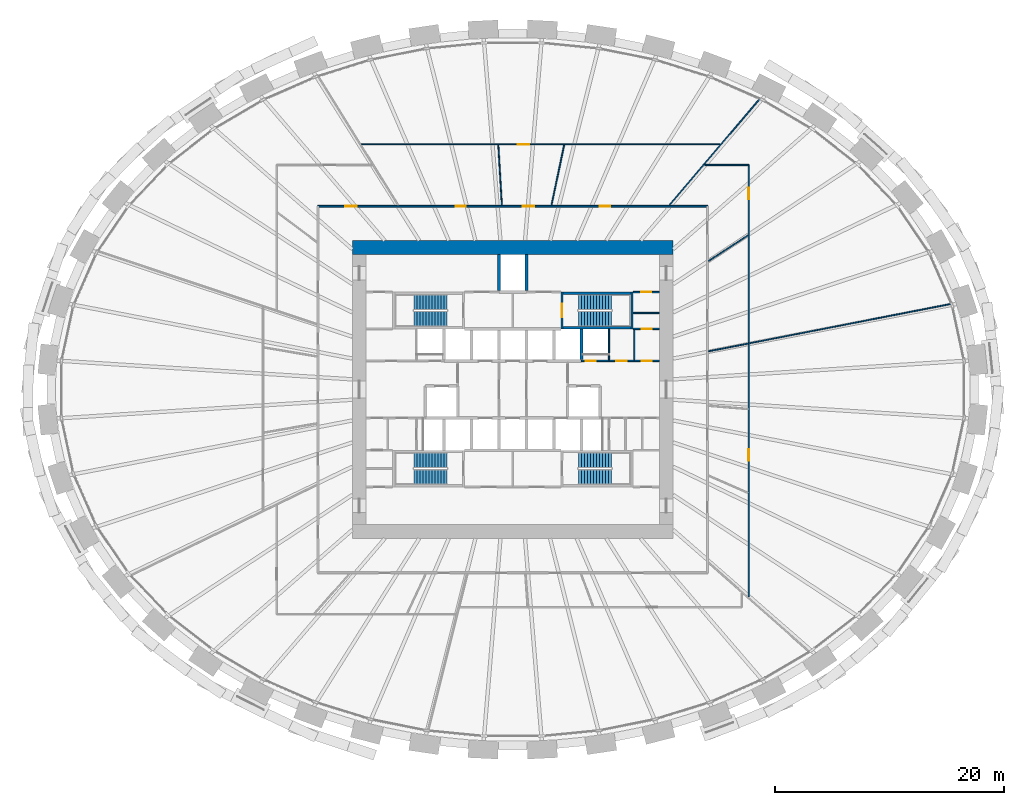
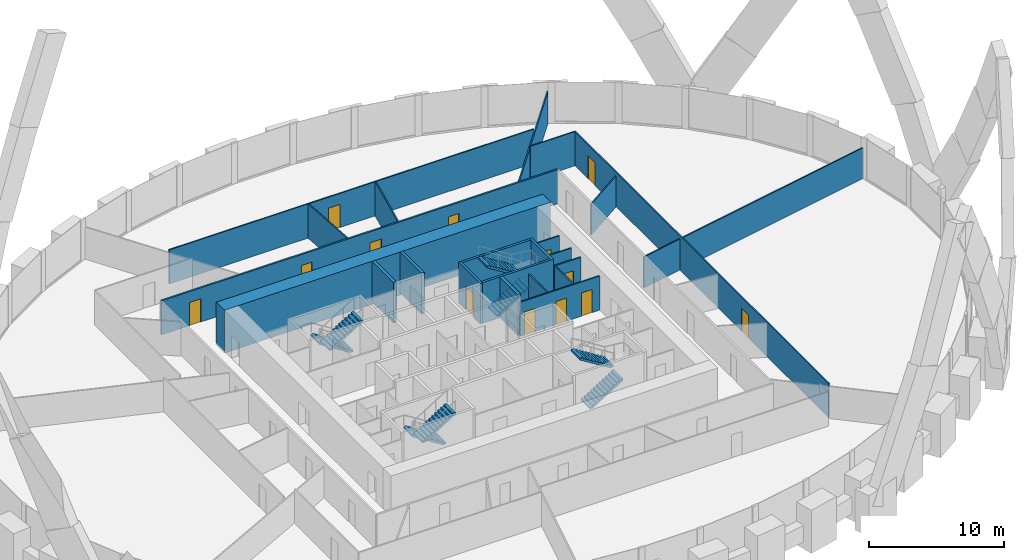
# One storey, part 10 of 12: 23 walls, 13 doors, 8 stair flights, 13 openings, 4 elements without a shape of their own.
"""IFC4 building model written with IfcOpenShell, lengths in metres."""

from ifc_helpers import new_model, si_unit, direction, frame, frame_2d, origin, place, context, subcontext, project, spatial, polyline, rectangle, outline, extrude, source, transform, mapped, material, layer, layer_set, type_object, element, fill, aggregate, save


model = new_model("IFC4")

# Units and contexts
model_context = context("Model", 3, precision=1e-05, world=origin(), true_north=direction((0.0, 1.0)))
body_context = subcontext(model_context, "Body", "Model", "MODEL_VIEW")
ifc_project = project(units=[si_unit("LENGTHUNIT", "METRE"), si_unit("AREAUNIT", "SQUARE_METRE"), si_unit("VOLUMEUNIT", "CUBIC_METRE"), si_unit("PLANEANGLEUNIT", "RADIAN"), si_unit("MASSUNIT", "GRAM", prefix="KILO")], contexts=[model_context])

# Site, building, storey
site_placement = place(None, origin())
site = spatial("IfcSite", under=ifc_project, at=site_placement, CompositionType="ELEMENT")
building_placement = place(site_placement, origin())
building = spatial("IfcBuilding", under=site, at=building_placement, Name="Embergate Tower", CompositionType="ELEMENT")
storey_placement = place(building_placement, frame((0.0, 0.0, 65.89990234375)))
storey = spatial("IfcBuildingStorey", under=building, at=storey_placement, Name="L12", CompositionType="ELEMENT", Elevation=65.89990234375)

# Wall
ifc_material_1 = material(Name="Concrete C80", Category="concrete")
ifc_layer_1 = layer(ifc_material_1, 1.199951171875)
ifc_layer_set_1 = layer_set([ifc_layer_1], Name="Concrete C80")
wall_type_1 = type_object("IfcWallType", Name="Core outer wall C80 1200", PredefinedType="SHEAR", material=ifc_layer_set_1)
shared_shape_1 = source(origin(), body_context, "Body", "SweptSolid", [
    extrude(rectangle(XDim=28.0, YDim=1.199951171875, at=frame_2d((14.0, 0.0))), origin(), (0.0, 0.0, 1.0), 3.900146484375),
])
wall_1_placement = place(storey_placement, frame((-14.0, 12.39990234375, -0.199951171875), z_axis=(0.0, 0.0, 1.0), x_axis=(1.0, 0.0, 0.0)))
element("IfcWall", 1, at=wall_1_placement, inside=storey, type_object=wall_type_1, Name="CW-L12-N", PredefinedType="SHEAR", context=body_context, shape_type="MappedRepresentation", body=[
    mapped(shared_shape_1, transform((0.0, 0.0, 0.0))),
])

# Wall, openings, doors
ifc_material_2 = material(Name="Core partition blockwork 120")
ifc_layer_2 = layer(ifc_material_2, 0.1201171875)
ifc_layer_set_2 = layer_set([ifc_layer_2], Name="Core partition blockwork 120")
wall_type_2 = type_object("IfcWallType", Name="Core partition blockwork 120", PredefinedType="PARTITIONING", material=ifc_layer_set_2)
shared_shape_2 = source(origin(), body_context, "Body", "SweptSolid", [
    extrude(rectangle(XDim=6.800048828125, YDim=0.1201171875, at=frame_2d((3.39990234375, 0.0))), origin(), (0.0, 0.0, 1.0), 3.10009765625),
])
wall_2_placement = place(storey_placement, frame((6.0, 2.5, 0.0), z_axis=(0.0, 0.0, 1.0), x_axis=(1.0, 0.0, 0.0)))
wall_2 = element("IfcWall", 2, at=wall_2_placement, inside=storey, type_object=wall_type_2, Name="IP-3 wall", PredefinedType="PARTITIONING", context=body_context, shape_type="MappedRepresentation", body=[
    mapped(shared_shape_2, transform((0.0, 0.0, 0.0))),
])
shared_shape_3 = source(origin(), body_context, "Body", "SweptSolid", [
    extrude(rectangle(XDim=0.89990234375, YDim=2.10009765625, at=frame_2d((0.449951171875, 1.050048828125))), frame((0.0, 0.070068359375, 0.0), z_axis=(0.0, -1.0, 0.0), x_axis=(1.0, 0.0, 0.0)), (0.0, 0.0, 1.0), 0.14013671875),
])
opening_1_placement = place(wall_2_placement, frame((0.35009765625, 0.0, 0.0)))
opening_1 = element("IfcOpeningElement", 3, at=opening_1_placement, cuts=wall_2, Name="Opening ID-1", PredefinedType="OPENING", context=body_context, shape_type="MappedRepresentation", body=[
    mapped(shared_shape_3, transform((0.0, 0.0, 0.0))),
])
opening_2_placement = place(wall_2_placement, frame((3.050048828125, 0.0, 0.0)))
opening_2 = element("IfcOpeningElement", 4, at=opening_2_placement, cuts=wall_2, Name="Opening ID-1", PredefinedType="OPENING", context=body_context, shape_type="MappedRepresentation", body=[
    mapped(shared_shape_3, transform((0.0, 0.0, 0.0))),
])
opening_3_placement = place(wall_2_placement, frame((5.25, 0.0, 0.0)))
opening_3 = element("IfcOpeningElement", 5, at=opening_3_placement, cuts=wall_2, Name="Opening ID-1", PredefinedType="OPENING", context=body_context, shape_type="MappedRepresentation", body=[
    mapped(shared_shape_3, transform((0.0, 0.0, 0.0))),
])
ifc_material_3 = material(Name="Interior door 900")
door_type_1 = type_object("IfcDoorType", Name="Interior door 900", OperationType="SINGLE_SWING_LEFT", PredefinedType="DOOR", material=ifc_material_3)
shared_shape_4 = source(origin(), body_context, "Body", "SweptSolid", [
    extrude(rectangle(XDim=0.89990234375, YDim=2.10009765625, at=frame_2d((0.449951171875, 1.050048828125))), frame((0.0, 0.02490234375, 0.0), z_axis=(0.0, -1.0, 0.0), x_axis=(1.0, 0.0, 0.0)), (0.0, 0.0, 1.0), 0.050048828125),
])
door_1_placement = place(opening_1_placement, origin())
door_1 = element("IfcDoor", 6, at=door_1_placement, inside=storey, type_object=door_type_1, Name="ID-1 door", OperationType="SINGLE_SWING_LEFT", OverallHeight=2.10009765625, OverallWidth=0.89990234375, PredefinedType="DOOR", context=body_context, shape_type="MappedRepresentation", body=[
    mapped(shared_shape_4, transform((0.0, 0.0, 0.0))),
])
fill(opening_1, door_1)
door_2_placement = place(opening_2_placement, origin())
door_2 = element("IfcDoor", 7, at=door_2_placement, inside=storey, type_object=door_type_1, Name="ID-1 door", OperationType="SINGLE_SWING_RIGHT", OverallHeight=2.10009765625, OverallWidth=0.89990234375, PredefinedType="DOOR", context=body_context, shape_type="MappedRepresentation", body=[
    mapped(shared_shape_4, transform((0.0, 0.0, 0.0))),
])
fill(opening_2, door_2)
door_3_placement = place(opening_3_placement, origin())
door_3 = element("IfcDoor", 8, at=door_3_placement, inside=storey, type_object=door_type_1, Name="ID-1 door", OperationType="SINGLE_SWING_RIGHT", OverallHeight=2.10009765625, OverallWidth=0.89990234375, PredefinedType="DOOR", context=body_context, shape_type="MappedRepresentation", body=[
    mapped(shared_shape_4, transform((0.0, 0.0, 0.0))),
])
fill(opening_3, door_3)

# Wall
shared_shape_5 = source(origin(), body_context, "Body", "SweptSolid", [
    extrude(rectangle(XDim=2.739990234375, YDim=0.1201171875, at=frame_2d((1.3701171875, 0.0))), origin(), (0.0, 0.0, 1.0), 3.10009765625),
])
wall_3_placement = place(storey_placement, frame((8.39990234375, 2.56005859375, 0.0), z_axis=(0.0, 0.0, 1.0), x_axis=(0.0, 1.0, 0.0)))
element("IfcWall", 9, at=wall_3_placement, inside=storey, type_object=wall_type_2, Name="IP-3 wall", PredefinedType="PARTITIONING", context=body_context, shape_type="MappedRepresentation", body=[
    mapped(shared_shape_5, transform((0.0, 0.0, 0.0))),
])

# Wall, opening, door
shared_shape_6 = source(origin(), body_context, "Body", "SweptSolid", [
    extrude(rectangle(XDim=2.300048828125, YDim=0.1201171875, at=frame_2d((1.14990234375, 0.0))), origin(), (0.0, 0.0, 1.0), 3.10009765625),
])
wall_4_placement = place(storey_placement, frame((10.5, 8.5, 0.0), z_axis=(0.0, 0.0, 1.0), x_axis=(1.0, 0.0, 0.0)))
wall_4 = element("IfcWall", 10, at=wall_4_placement, inside=storey, type_object=wall_type_2, Name="IP-3 wall", PredefinedType="PARTITIONING", context=body_context, shape_type="MappedRepresentation", body=[
    mapped(shared_shape_6, transform((0.0, 0.0, 0.0))),
])
opening_4_placement = place(wall_4_placement, frame((0.699951171875, 0.0, 0.0)))
opening_4 = element("IfcOpeningElement", 11, at=opening_4_placement, cuts=wall_4, Name="Opening ID-1", PredefinedType="OPENING", context=body_context, shape_type="MappedRepresentation", body=[
    mapped(shared_shape_3, transform((0.0, 0.0, 0.0))),
])
door_4_placement = place(opening_4_placement, origin())
door_4 = element("IfcDoor", 12, at=door_4_placement, inside=storey, type_object=door_type_1, Name="ID-1 door", OperationType="SINGLE_SWING_LEFT", OverallHeight=2.10009765625, OverallWidth=0.89990234375, PredefinedType="DOOR", context=body_context, shape_type="MappedRepresentation", body=[
    mapped(shared_shape_4, transform((0.0, 0.0, 0.0))),
])
fill(opening_4, door_4)

wall_5_placement = place(storey_placement, frame((12.800048828125, 5.300048828125, 0.0), z_axis=(0.0, 0.0, 1.0), x_axis=(-1.0, 0.0, 0.0)))
wall_5 = element("IfcWall", 13, at=wall_5_placement, inside=storey, type_object=wall_type_2, Name="IP-3 wall", PredefinedType="PARTITIONING", context=body_context, shape_type="MappedRepresentation", body=[
    mapped(shared_shape_6, transform((0.0, 0.0, 0.0))),
])
opening_5_placement = place(wall_5_placement, frame((0.64990234375, 0.0, 0.0)))
opening_5 = element("IfcOpeningElement", 14, at=opening_5_placement, cuts=wall_5, Name="Opening ID-1", PredefinedType="OPENING", context=body_context, shape_type="MappedRepresentation", body=[
    mapped(shared_shape_3, transform((0.0, 0.0, 0.0))),
])
door_5_placement = place(opening_5_placement, origin())
door_5 = element("IfcDoor", 15, at=door_5_placement, inside=storey, type_object=door_type_1, Name="ID-1 door", OperationType="SINGLE_SWING_RIGHT", OverallHeight=2.10009765625, OverallWidth=0.89990234375, PredefinedType="DOOR", context=body_context, shape_type="MappedRepresentation", body=[
    mapped(shared_shape_4, transform((0.0, 0.0, 0.0))),
])
fill(opening_5, door_5)

# Walls
wall_6_placement = place(storey_placement, frame((12.800048828125, 6.676025390625, 0.0), z_axis=(0.0, 0.0, 1.0), x_axis=(-1.0, 0.0, 0.0)))
element("IfcWall", 16, at=wall_6_placement, inside=storey, type_object=wall_type_2, Name="IP-3 wall", PredefinedType="PARTITIONING", context=body_context, shape_type="MappedRepresentation", body=[
    mapped(shared_shape_6, transform((0.0, 0.0, 0.0))),
])
shared_shape_7 = source(origin(), body_context, "Body", "SweptSolid", [
    extrude(rectangle(XDim=2.679931640625, YDim=0.1201171875, at=frame_2d((1.33984375, 0.0))), origin(), (0.0, 0.0, 1.0), 3.10009765625),
])
wall_7_placement = place(storey_placement, frame((10.60009765625, 2.56005859375, 0.0), z_axis=(0.0, 0.0, 1.0), x_axis=(0.0, 1.0, 0.0)))
element("IfcWall", 17, at=wall_7_placement, inside=storey, type_object=wall_type_2, Name="IP-3 wall", PredefinedType="PARTITIONING", context=body_context, shape_type="MappedRepresentation", body=[
    mapped(shared_shape_7, transform((0.0, 0.0, 0.0))),
])
ifc_material_4 = material(Name="Concrete C50", Category="concrete")
ifc_layer_3 = layer(ifc_material_4, 0.25)
ifc_layer_set_3 = layer_set([ifc_layer_3], Name="Concrete C50")
wall_type_3 = type_object("IfcWallType", Name="Hoistway wall reinforced concrete 250", PredefinedType="SHEAR", material=ifc_layer_set_3)
shared_shape_8 = source(origin(), body_context, "Body", "SweptSolid", [
    extrude(rectangle(XDim=2.675048828125, YDim=0.25, at=frame_2d((1.33740234375, 0.0))), origin(), (0.0, 0.0, 1.0), 3.7001953125),
])
wall_8_placement = place(storey_placement, frame((6.0, 2.625, 0.0), z_axis=(0.0, 0.0, 1.0), x_axis=(0.0, 1.0, 0.0)))
element("IfcWall", 18, at=wall_8_placement, inside=storey, type_object=wall_type_3, Name="HW-1 wall", PredefinedType="SHEAR", context=body_context, shape_type="MappedRepresentation", body=[
    mapped(shared_shape_8, transform((0.0, 0.0, 0.0))),
])
ifc_layer_4 = layer(ifc_material_4, 0.199951171875)
ifc_layer_set_4 = layer_set([ifc_layer_4], Name="Concrete C50")
wall_type_4 = type_object("IfcWallType", Name="Stair enclosure wall reinforced concrete 250", PredefinedType="SHEAR", material=ifc_layer_set_4)
shared_shape_9 = source(origin(), body_context, "Body", "SweptSolid", [
    extrude(rectangle(XDim=6.300048828125, YDim=0.199951171875, at=frame_2d((3.14990234375, 0.0))), origin(), (0.0, 0.0, 1.0), 3.7001953125),
])
for number, where, z_axis, x_axis, name in (
    (19, (10.5, 5.39990234375, 0.0), (0.0, 0.0, 1.0), (-1.0, 0.0, 0.0), "SE-1 wall"),
    (20, (10.5, 8.39990234375, 0.0), (0.0, 0.0, 1.0), (-1.0, 0.0, 0.0), "SE-1 wall"),
):
    element("IfcWall", number, at=place(storey_placement, frame(where, z_axis=z_axis, x_axis=x_axis)), inside=storey, type_object=wall_type_4, Name=name, PredefinedType="SHEAR", context=body_context, shape_type="MappedRepresentation", body=[
        mapped(shared_shape_9, transform((0.0, 0.0, 0.0))),
    ])

# Wall, opening, door
shared_shape_10 = source(origin(), body_context, "Body", "SweptSolid", [
    extrude(rectangle(XDim=3.199951171875, YDim=0.199951171875, at=frame_2d((1.60009765625, 0.0))), origin(), (0.0, 0.0, 1.0), 3.7001953125),
])
wall_9_placement = place(storey_placement, frame((4.300048828125, 8.5, 0.0), z_axis=(0.0, 0.0, 1.0), x_axis=(0.0, -1.0, 0.0)))
wall_9 = element("IfcWall", 21, at=wall_9_placement, inside=storey, type_object=wall_type_4, Name="SE-1 wall", PredefinedType="SHEAR", context=body_context, shape_type="MappedRepresentation", body=[
    mapped(shared_shape_10, transform((0.0, 0.0, 0.0))),
])
shared_shape_11 = source(origin(), body_context, "Body", "SweptSolid", [
    extrude(rectangle(XDim=1.199951171875, YDim=2.10009765625, at=frame_2d((0.60009765625, 1.050048828125))), frame((0.0, 0.10986328125, 0.0), z_axis=(0.0, -1.0, 0.0), x_axis=(1.0, 0.0, 0.0)), (0.0, 0.0, 1.0), 0.219970703125),
])
opening_6_placement = place(wall_9_placement, frame((1.0, 0.0, 0.0)))
opening_6 = element("IfcOpeningElement", 22, at=opening_6_placement, cuts=wall_9, Name="Opening IF-2", PredefinedType="OPENING", context=body_context, shape_type="MappedRepresentation", body=[
    mapped(shared_shape_11, transform((0.0, 0.0, 0.0))),
])
ifc_material_5 = material(Name="Stair enclosure door 1200")
door_type_2 = type_object("IfcDoorType", Name="Stair enclosure door 1200", OperationType="SINGLE_SWING_LEFT", PredefinedType="DOOR", material=ifc_material_5)
shared_shape_12 = source(origin(), body_context, "Body", "SweptSolid", [
    extrude(rectangle(XDim=1.199951171875, YDim=2.10009765625, at=frame_2d((0.60009765625, 1.050048828125))), frame((0.0, 0.02490234375, 0.0), z_axis=(0.0, -1.0, 0.0), x_axis=(1.0, 0.0, 0.0)), (0.0, 0.0, 1.0), 0.050048828125),
])
door_6_placement = place(opening_6_placement, origin())
door_6 = element("IfcDoor", 23, at=door_6_placement, inside=storey, type_object=door_type_2, Name="IF-2 door", OperationType="SINGLE_SWING_RIGHT", OverallHeight=2.10009765625, OverallWidth=1.199951171875, PredefinedType="DOOR", context=body_context, shape_type="MappedRepresentation", body=[
    mapped(shared_shape_12, transform((0.0, 0.0, 0.0))),
])
fill(opening_6, door_6)

# Walls
wall_10_placement = place(storey_placement, frame((10.39990234375, 5.300048828125, 0.0), z_axis=(0.0, 0.0, 1.0), x_axis=(0.0, 1.0, 0.0)))
element("IfcWall", 24, at=wall_10_placement, inside=storey, type_object=wall_type_4, Name="SE-1 wall", PredefinedType="SHEAR", context=body_context, shape_type="MappedRepresentation", body=[
    mapped(shared_shape_10, transform((0.0, 0.0, 0.0))),
])
shared_shape_13 = source(origin(), body_context, "Body", "SweptSolid", [
    extrude(rectangle(XDim=3.175048828125, YDim=0.25, at=frame_2d((1.58740234375, 0.0))), origin(), (0.0, 0.0, 1.0), 3.7001953125),
])
for number, where, z_axis, x_axis, name in (
    (25, (-1.199951171875, 8.625, 0.0), (0.0, 0.0, 1.0), (0.0, 1.0, 0.0), "HW-1 wall"),
    (26, (1.199951171875, 11.800048828125, 0.0), (0.0, 0.0, 1.0), (0.0, -1.0, 0.0), "HW-1 wall"),
):
    element("IfcWall", number, at=place(storey_placement, frame(where, z_axis=z_axis, x_axis=x_axis)), inside=storey, type_object=wall_type_3, Name=name, PredefinedType="SHEAR", context=body_context, shape_type="MappedRepresentation", body=[
        mapped(shared_shape_13, transform((0.0, 0.0, 0.0))),
    ])

# Wall, openings, doors
ifc_material_6 = material(Name="Corridor wall dry-lined 150")
ifc_layer_5 = layer(ifc_material_6, 0.14990234375)
ifc_layer_set_5 = layer_set([ifc_layer_5], Name="Corridor wall dry-lined 150")
wall_type_5 = type_object("IfcWallType", Name="Corridor wall dry-lined 150", PredefinedType="PARTITIONING", material=ifc_layer_set_5)
shared_shape_14 = source(origin(), body_context, "Body", "SweptSolid", [
    extrude(rectangle(XDim=34.0, YDim=0.14990234375, at=frame_2d((17.0, 0.0))), origin(), (0.0, 0.0, 1.0), 3.10009765625),
])
wall_11_placement = place(storey_placement, frame((-17.0, 16.0, 0.0), z_axis=(0.0, 0.0, 1.0), x_axis=(1.0, 0.0, 0.0)))
wall_11 = element("IfcWall", 27, at=wall_11_placement, inside=storey, type_object=wall_type_5, Name="IP-2 wall", PredefinedType="PARTITIONING", context=body_context, shape_type="MappedRepresentation", body=[
    mapped(shared_shape_14, transform((0.0, 0.0, 0.0))),
])
shared_shape_15 = source(origin(), body_context, "Body", "SweptSolid", [
    extrude(rectangle(XDim=0.89990234375, YDim=2.10009765625, at=frame_2d((0.449951171875, 1.050048828125))), frame((0.0, 0.0849609375, 0.0), z_axis=(0.0, -1.0, 0.0), x_axis=(1.0, 0.0, 0.0)), (0.0, 0.0, 1.0), 0.169921875),
])
opening_7_placement = place(wall_11_placement, frame((24.591064453125, 0.0, 0.0)))
opening_7 = element("IfcOpeningElement", 28, at=opening_7_placement, cuts=wall_11, Name="Opening IF-1c", PredefinedType="OPENING", context=body_context, shape_type="MappedRepresentation", body=[
    mapped(shared_shape_15, transform((0.0, 0.0, 0.0))),
])
shared_shape_16 = source(origin(), body_context, "Body", "SweptSolid", [
    extrude(rectangle(XDim=1.0, YDim=2.10009765625, at=frame_2d((0.5, 1.050048828125))), frame((0.0, 0.0849609375, 0.0), z_axis=(0.0, -1.0, 0.0), x_axis=(1.0, 0.0, 0.0)), (0.0, 0.0, 1.0), 0.169921875),
])
opening_8_placement = place(wall_11_placement, frame((17.87109375, 0.0, 0.0)))
opening_8 = element("IfcOpeningElement", 29, at=opening_8_placement, cuts=wall_11, Name="Opening ID-2", PredefinedType="OPENING", context=body_context, shape_type="MappedRepresentation", body=[
    mapped(shared_shape_16, transform((0.0, 0.0, 0.0))),
])
opening_9_placement = place(wall_11_placement, frame((12.0048828125, 0.0, 0.0)))
opening_9 = element("IfcOpeningElement", 30, at=opening_9_placement, cuts=wall_11, Name="Opening IF-1c", PredefinedType="OPENING", context=body_context, shape_type="MappedRepresentation", body=[
    mapped(shared_shape_15, transform((0.0, 0.0, 0.0))),
])
opening_10_placement = place(wall_11_placement, frame((2.3740234375, 0.0, 0.0)))
opening_10 = element("IfcOpeningElement", 31, at=opening_10_placement, cuts=wall_11, Name="Opening ID-2", PredefinedType="OPENING", context=body_context, shape_type="MappedRepresentation", body=[
    mapped(shared_shape_16, transform((0.0, 0.0, 0.0))),
])
ifc_material_7 = material(Name="Escape fire door 900")
door_type_3 = type_object("IfcDoorType", Name="Escape fire door 900", OperationType="SINGLE_SWING_LEFT", PredefinedType="DOOR", material=ifc_material_7)
door_7_placement = place(opening_7_placement, origin())
door_7 = element("IfcDoor", 32, at=door_7_placement, inside=storey, type_object=door_type_3, Name="IF-1 door", OperationType="SINGLE_SWING_RIGHT", OverallHeight=2.10009765625, OverallWidth=0.89990234375, PredefinedType="DOOR", context=body_context, shape_type="MappedRepresentation", body=[
    mapped(shared_shape_4, transform((0.0, 0.0, 0.0))),
])
fill(opening_7, door_7)
door_8_placement = place(opening_9_placement, origin())
door_8 = element("IfcDoor", 33, at=door_8_placement, inside=storey, type_object=door_type_3, Name="IF-1 door", OperationType="SINGLE_SWING_RIGHT", OverallHeight=2.10009765625, OverallWidth=0.89990234375, PredefinedType="DOOR", context=body_context, shape_type="MappedRepresentation", body=[
    mapped(shared_shape_4, transform((0.0, 0.0, 0.0))),
])
fill(opening_9, door_8)
ifc_material_8 = material(Name="Interior door 1000")
door_type_4 = type_object("IfcDoorType", Name="Interior door 1000", OperationType="SINGLE_SWING_LEFT", PredefinedType="DOOR", material=ifc_material_8)
shared_shape_17 = source(origin(), body_context, "Body", "SweptSolid", [
    extrude(rectangle(XDim=1.0, YDim=2.10009765625, at=frame_2d((0.5, 1.050048828125))), frame((0.0, 0.02490234375, 0.0), z_axis=(0.0, -1.0, 0.0), x_axis=(1.0, 0.0, 0.0)), (0.0, 0.0, 1.0), 0.050048828125),
])
door_9_placement = place(opening_8_placement, origin())
door_9 = element("IfcDoor", 34, at=door_9_placement, inside=storey, type_object=door_type_4, Name="ID-2 door", OperationType="SINGLE_SWING_RIGHT", OverallHeight=2.10009765625, OverallWidth=1.0, PredefinedType="DOOR", context=body_context, shape_type="MappedRepresentation", body=[
    mapped(shared_shape_17, transform((0.0, 0.0, 0.0))),
])
fill(opening_8, door_9)
door_10_placement = place(opening_10_placement, origin())
door_10 = element("IfcDoor", 35, at=door_10_placement, inside=storey, type_object=door_type_4, Name="ID-2 door", OperationType="SINGLE_SWING_LEFT", OverallHeight=2.10009765625, OverallWidth=1.0, PredefinedType="DOOR", context=body_context, shape_type="MappedRepresentation", body=[
    mapped(shared_shape_17, transform((0.0, 0.0, 0.0))),
])
fill(opening_10, door_10)

ifc_material_9 = material(Name="Partition dry-lined 100")
ifc_layer_6 = layer(ifc_material_9, 0.10009765625)
ifc_layer_set_6 = layer_set([ifc_layer_6], Name="Partition dry-lined 100")
wall_type_6 = type_object("IfcWallType", Name="Partition dry-lined 100", PredefinedType="PARTITIONING", material=ifc_layer_set_6)
shared_shape_18 = source(origin(), body_context, "Body", "SweptSolid", [
    extrude(rectangle(XDim=37.7060546875, YDim=0.10009765625, at=frame_2d((18.85302734375, 0.0))), origin(), (0.0, 0.0, 1.0), 3.10009765625),
])
wall_12_placement = place(storey_placement, frame((20.60009765625, -18.10595703125, 0.0), z_axis=(0.0, 0.0, 1.0), x_axis=(0.0, 1.0, 0.0)))
wall_12 = element("IfcWall", 36, at=wall_12_placement, inside=storey, type_object=wall_type_6, Name="IP-1 wall", PredefinedType="PARTITIONING", context=body_context, shape_type="MappedRepresentation", body=[
    mapped(shared_shape_18, transform((0.0, 0.0, 0.0))),
])
shared_shape_19 = source(origin(), body_context, "Body", "SweptSolid", [
    extrude(rectangle(XDim=1.0, YDim=2.10009765625, at=frame_2d((0.5, 1.050048828125))), frame((0.0, 0.06005859375, 0.0), z_axis=(0.0, -1.0, 0.0), x_axis=(1.0, 0.0, 0.0)), (0.0, 0.0, 1.0), 0.1201171875),
])
opening_11_placement = place(wall_12_placement, frame((11.885009765625, 0.0, 0.0)))
opening_11 = element("IfcOpeningElement", 37, at=opening_11_placement, cuts=wall_12, Name="Opening ID-2", PredefinedType="OPENING", context=body_context, shape_type="MappedRepresentation", body=[
    mapped(shared_shape_19, transform((0.0, 0.0, 0.0))),
])
opening_12_placement = place(wall_12_placement, frame((34.698974609375, 0.0, 0.0)))
opening_12 = element("IfcOpeningElement", 38, at=opening_12_placement, cuts=wall_12, Name="Opening ID-2", PredefinedType="OPENING", context=body_context, shape_type="MappedRepresentation", body=[
    mapped(shared_shape_19, transform((0.0, 0.0, 0.0))),
])
door_11_placement = place(opening_11_placement, origin())
door_11 = element("IfcDoor", 39, at=door_11_placement, inside=storey, type_object=door_type_4, Name="ID-2 door", OperationType="SINGLE_SWING_LEFT", OverallHeight=2.10009765625, OverallWidth=1.0, PredefinedType="DOOR", context=body_context, shape_type="MappedRepresentation", body=[
    mapped(shared_shape_17, transform((0.0, 0.0, 0.0))),
])
fill(opening_11, door_11)
door_12_placement = place(opening_12_placement, origin())
door_12 = element("IfcDoor", 40, at=door_12_placement, inside=storey, type_object=door_type_4, Name="ID-2 door", OperationType="SINGLE_SWING_RIGHT", OverallHeight=2.10009765625, OverallWidth=1.0, PredefinedType="DOOR", context=body_context, shape_type="MappedRepresentation", body=[
    mapped(shared_shape_17, transform((0.0, 0.0, 0.0))),
])
fill(opening_12, door_12)

# Walls
shared_shape_20 = source(origin(), body_context, "Body", "SweptSolid", [
    extrude(rectangle(XDim=21.60498046875, YDim=0.10009765625, at=frame_2d((10.802490234375, 0.0))), origin(), (0.0, 0.0, 1.0), 2.800048828125),
])
wall_13_placement = place(storey_placement, frame((38.2890625, 7.48095703125, 0.0), z_axis=(0.0, 0.0, 1.0), x_axis=(-0.98144113654, -0.191763644903, 0.0)))
element("IfcWall", 41, at=wall_13_placement, inside=storey, type_object=wall_type_6, Name="IP-1 wall", PredefinedType="PARTITIONING", context=body_context, shape_type="MappedRepresentation", body=[
    mapped(shared_shape_20, transform((0.0, 0.0, 0.0))),
])
shared_shape_21 = source(origin(), body_context, "Body", "SweptSolid", [
    extrude(rectangle(XDim=4.090576171875, YDim=0.10009765625, at=frame_2d((2.04541015625, 0.0))), origin(), (0.0, 0.0, 1.0), 2.800048828125),
])
wall_14_placement = place(storey_placement, frame((17.10205078125, 11.215087890625, 0.0), z_axis=(0.0, 0.0, 1.0), x_axis=(0.836277118034, 0.548307014229, 0.0)))
element("IfcWall", 42, at=wall_14_placement, inside=storey, type_object=wall_type_6, Name="IP-1 wall", PredefinedType="PARTITIONING", context=body_context, shape_type="MappedRepresentation", body=[
    mapped(shared_shape_21, transform((0.0, 0.0, 0.0))),
])
shared_shape_22 = source(origin(), body_context, "Body", "SweptSolid", [
    extrude(rectangle(XDim=3.842041015625, YDim=0.10009765625, at=frame_2d((1.9208984375, 0.0))), origin(), (0.0, 0.0, 1.0), 3.10009765625),
])
wall_15_placement = place(storey_placement, frame((20.60009765625, 19.60009765625, 0.0), z_axis=(0.0, 0.0, 1.0), x_axis=(-1.0, 0.0, 0.0)))
element("IfcWall", 43, at=wall_15_placement, inside=storey, type_object=wall_type_6, Name="IP-1 wall", PredefinedType="PARTITIONING", context=body_context, shape_type="MappedRepresentation", body=[
    mapped(shared_shape_22, transform((0.0, 0.0, 0.0))),
])
shared_shape_23 = source(origin(), body_context, "Body", "SweptSolid", [
    extrude(rectangle(XDim=5.3701171875, YDim=0.10009765625, at=frame_2d((2.68505859375, 0.0))), origin(), (0.0, 0.0, 1.0), 3.10009765625),
])
wall_16_placement = place(storey_placement, frame((3.381103515625, 16.0849609375, 0.0), z_axis=(0.0, 0.0, 1.0), x_axis=(0.205767600964, 0.97860088616, 0.0)))
element("IfcWall", 44, at=wall_16_placement, inside=storey, type_object=wall_type_6, Name="IP-1 wall", PredefinedType="PARTITIONING", context=body_context, shape_type="MappedRepresentation", body=[
    mapped(shared_shape_23, transform((0.0, 0.0, 0.0))),
])

# Wall, opening, door
shared_shape_24 = source(origin(), body_context, "Body", "SweptSolid", [
    extrude(rectangle(XDim=31.280029296875, YDim=0.10009765625, at=frame_2d((15.64013671875, 0.0))), origin(), (0.0, 0.0, 1.0), 3.10009765625),
])
wall_17_placement = place(storey_placement, frame((18.071044921875, 21.39990234375, 0.0), z_axis=(0.0, 0.0, 1.0), x_axis=(-1.0, 0.0, 0.0)))
wall_17 = element("IfcWall", 45, at=wall_17_placement, inside=storey, type_object=wall_type_6, Name="IP-1 wall", PredefinedType="PARTITIONING", context=body_context, shape_type="MappedRepresentation", body=[
    mapped(shared_shape_24, transform((0.0, 0.0, 0.0))),
])
opening_13_placement = place(wall_17_placement, frame((16.6201171875, 0.0, 0.0)))
opening_13 = element("IfcOpeningElement", 46, at=opening_13_placement, cuts=wall_17, Name="Opening ID-2", PredefinedType="OPENING", context=body_context, shape_type="MappedRepresentation", body=[
    mapped(shared_shape_19, transform((0.0, 0.0, 0.0))),
])
door_13_placement = place(opening_13_placement, origin())
door_13 = element("IfcDoor", 47, at=door_13_placement, inside=storey, type_object=door_type_4, Name="ID-2 door", OperationType="SINGLE_SWING_LEFT", OverallHeight=2.10009765625, OverallWidth=1.0, PredefinedType="DOOR", context=body_context, shape_type="MappedRepresentation", body=[
    mapped(shared_shape_17, transform((0.0, 0.0, 0.0))),
])
fill(opening_13, door_13)

# Walls
shared_shape_25 = source(origin(), body_context, "Body", "SweptSolid", [
    extrude(rectangle(XDim=5.284423828125, YDim=0.10009765625, at=frame_2d((2.64208984375, 0.0))), origin(), (0.0, 0.0, 1.0), 3.10009765625),
])
wall_18_placement = place(storey_placement, frame((-0.949951171875, 16.074951171875, 0.0), z_axis=(0.0, 0.0, 1.0), x_axis=(-0.059044307581, 0.998255362992, 0.0)))
element("IfcWall", 48, at=wall_18_placement, inside=storey, type_object=wall_type_6, Name="IP-1 wall", PredefinedType="PARTITIONING", context=body_context, shape_type="MappedRepresentation", body=[
    mapped(shared_shape_25, transform((0.0, 0.0, 0.0))),
])
shared_shape_26 = source(origin(), body_context, "Body", "SweptSolid", [
    extrude(rectangle(XDim=12.176025390625, YDim=0.10009765625, at=frame_2d((6.087890625, 0.0))), origin(), (0.0, 0.0, 1.0), 2.900146484375),
])
wall_19_placement = place(storey_placement, frame((21.56591796875, 25.386962890625, 0.0), z_axis=(0.0, 0.0, 1.0), x_axis=(-0.647399860631, -0.76215052349, 0.0)))
element("IfcWall", 49, at=wall_19_placement, inside=storey, type_object=wall_type_6, Name="IP-1 wall", PredefinedType="PARTITIONING", context=body_context, shape_type="MappedRepresentation", body=[
    mapped(shared_shape_26, transform((0.0, 0.0, 0.0))),
])

# Stair, stair flights
ifc_material_10 = material(Name="Exit stair")
stair_type = type_object("IfcStairType", Name="Exit stair", PredefinedType="HALF_TURN_STAIR", material=ifc_material_10)
stair_1_placement = place(storey_placement, origin())
stair_1 = element("IfcStair", 50, at=stair_1_placement, inside=storey, type_object=stair_type, Name="L12 Exit stair 1", PredefinedType="HALF_TURN_STAIR")
ifc_material_11 = material(Name="Concrete C40", Category="concrete")
stair_flight_type = type_object("IfcStairFlightType", Name="Stair flight reinforced concrete", PredefinedType="STRAIGHT", material=ifc_material_11)
shared_shape_27 = source(origin(), body_context, "Body", "SweptSolid", [
    extrude(outline(polyline([(0.0, 0.0), (0.0, 0.16259765625), (0.260009765625, 0.16259765625), (0.260009765625, 0.324951171875), (0.52001953125, 0.324951171875), (0.52001953125, 0.487548828125), (0.780029296875, 0.487548828125), (0.780029296875, 0.64990234375), (1.0400390625, 0.64990234375), (1.0400390625, 0.8125), (1.300048828125, 0.8125), (1.300048828125, 0.97509765625), (1.56005859375, 0.97509765625), (1.56005859375, 1.137451171875), (1.820068359375, 1.137451171875), (1.820068359375, 1.300048828125), (2.080078125, 1.300048828125), (2.080078125, 1.46240234375), (2.340087890625, 1.46240234375), (2.340087890625, 1.625), (2.60009765625, 1.625), (2.60009765625, 1.78759765625), (2.860107421875, 1.78759765625), (2.860107421875, 1.949951171875), (2.860107421875, 1.61083984375), (0.28271484375, 0.0), (0.0, 0.0)])), frame((0.0, 0.675048828125, 0.0), z_axis=(0.0, -1.0, 0.0), x_axis=(1.0, 0.0, 0.0)), (0.0, 0.0, 1.0), 1.35009765625),
])
stair_flight_1_placement = place(storey_placement, frame((-5.75, 7.625, 0.0), z_axis=(0.0, 0.0, 1.0), x_axis=(-1.0, 0.0, 0.0)))
stair_flight_1 = element("IfcStairFlight", 51, at=stair_flight_1_placement, type_object=stair_flight_type, Name="ST1 flight 1", NumberOfRisers=12, NumberOfTreads=11, PredefinedType="STRAIGHT", RiserHeight=0.1625, TreadLength=0.26, context=body_context, shape_type="MappedRepresentation", body=[
    mapped(shared_shape_27, transform((0.0, 0.0, 0.0))),
])
stair_flight_2_placement = place(storey_placement, frame((-8.610107421875, 6.175048828125, 1.9501953125), z_axis=(0.0, 0.0, 1.0), x_axis=(1.0, 0.0, 0.0)))
stair_flight_2 = element("IfcStairFlight", 52, at=stair_flight_2_placement, type_object=stair_flight_type, Name="ST1 flight 2", NumberOfRisers=12, NumberOfTreads=11, PredefinedType="STRAIGHT", RiserHeight=0.1625, TreadLength=0.26, context=body_context, shape_type="MappedRepresentation", body=[
    mapped(shared_shape_27, transform((0.0, 0.0, 0.0))),
])
aggregate(stair_1, [stair_flight_1, stair_flight_2])

stair_2_placement = place(storey_placement, origin())
stair_2 = element("IfcStair", 53, at=stair_2_placement, inside=storey, type_object=stair_type, Name="L12 Exit stair 2", PredefinedType="HALF_TURN_STAIR")
stair_flight_3_placement = place(storey_placement, frame((5.75, 6.175048828125, 0.0), z_axis=(0.0, 0.0, 1.0), x_axis=(1.0, 0.0, 0.0)))
stair_flight_3 = element("IfcStairFlight", 54, at=stair_flight_3_placement, type_object=stair_flight_type, Name="ST2 flight 1", NumberOfRisers=12, NumberOfTreads=11, PredefinedType="STRAIGHT", RiserHeight=0.1625, TreadLength=0.26, context=body_context, shape_type="MappedRepresentation", body=[
    mapped(shared_shape_27, transform((0.0, 0.0, 0.0))),
])
stair_flight_4_placement = place(storey_placement, frame((8.610107421875, 7.625, 1.9501953125), z_axis=(0.0, 0.0, 1.0), x_axis=(-1.0, 0.0, 0.0)))
stair_flight_4 = element("IfcStairFlight", 55, at=stair_flight_4_placement, type_object=stair_flight_type, Name="ST2 flight 2", NumberOfRisers=12, NumberOfTreads=11, PredefinedType="STRAIGHT", RiserHeight=0.1625, TreadLength=0.26, context=body_context, shape_type="MappedRepresentation", body=[
    mapped(shared_shape_27, transform((0.0, 0.0, 0.0))),
])
aggregate(stair_2, [stair_flight_3, stair_flight_4])

stair_3_placement = place(storey_placement, origin())
stair_3 = element("IfcStair", 56, at=stair_3_placement, inside=storey, type_object=stair_type, Name="L12 Exit stair 3", PredefinedType="HALF_TURN_STAIR")
stair_flight_5_placement = place(storey_placement, frame((-5.75, -6.175048828125, 0.0), z_axis=(0.0, 0.0, 1.0), x_axis=(-1.0, 0.0, 0.0)))
stair_flight_5 = element("IfcStairFlight", 57, at=stair_flight_5_placement, type_object=stair_flight_type, Name="ST3 flight 1", NumberOfRisers=12, NumberOfTreads=11, PredefinedType="STRAIGHT", RiserHeight=0.1625, TreadLength=0.26, context=body_context, shape_type="MappedRepresentation", body=[
    mapped(shared_shape_27, transform((0.0, 0.0, 0.0))),
])
stair_flight_6_placement = place(storey_placement, frame((-8.610107421875, -7.625, 1.9501953125), z_axis=(0.0, 0.0, 1.0), x_axis=(1.0, 0.0, 0.0)))
stair_flight_6 = element("IfcStairFlight", 58, at=stair_flight_6_placement, type_object=stair_flight_type, Name="ST3 flight 2", NumberOfRisers=12, NumberOfTreads=11, PredefinedType="STRAIGHT", RiserHeight=0.1625, TreadLength=0.26, context=body_context, shape_type="MappedRepresentation", body=[
    mapped(shared_shape_27, transform((0.0, 0.0, 0.0))),
])
aggregate(stair_3, [stair_flight_5, stair_flight_6])

stair_4_placement = place(storey_placement, origin())
stair_4 = element("IfcStair", 59, at=stair_4_placement, inside=storey, type_object=stair_type, Name="L12 Exit stair 4", PredefinedType="HALF_TURN_STAIR")
stair_flight_7_placement = place(storey_placement, frame((5.75, -7.625, 0.0), z_axis=(0.0, 0.0, 1.0), x_axis=(1.0, 0.0, 0.0)))
stair_flight_7 = element("IfcStairFlight", 60, at=stair_flight_7_placement, type_object=stair_flight_type, Name="ST4 flight 1", NumberOfRisers=12, NumberOfTreads=11, PredefinedType="STRAIGHT", RiserHeight=0.1625, TreadLength=0.26, context=body_context, shape_type="MappedRepresentation", body=[
    mapped(shared_shape_27, transform((0.0, 0.0, 0.0))),
])
stair_flight_8_placement = place(storey_placement, frame((8.610107421875, -6.175048828125, 1.9501953125), z_axis=(0.0, 0.0, 1.0), x_axis=(-1.0, 0.0, 0.0)))
stair_flight_8 = element("IfcStairFlight", 61, at=stair_flight_8_placement, type_object=stair_flight_type, Name="ST4 flight 2", NumberOfRisers=12, NumberOfTreads=11, PredefinedType="STRAIGHT", RiserHeight=0.1625, TreadLength=0.26, context=body_context, shape_type="MappedRepresentation", body=[
    mapped(shared_shape_27, transform((0.0, 0.0, 0.0))),
])
aggregate(stair_4, [stair_flight_7, stair_flight_8])

save(model, "model.ifc")
